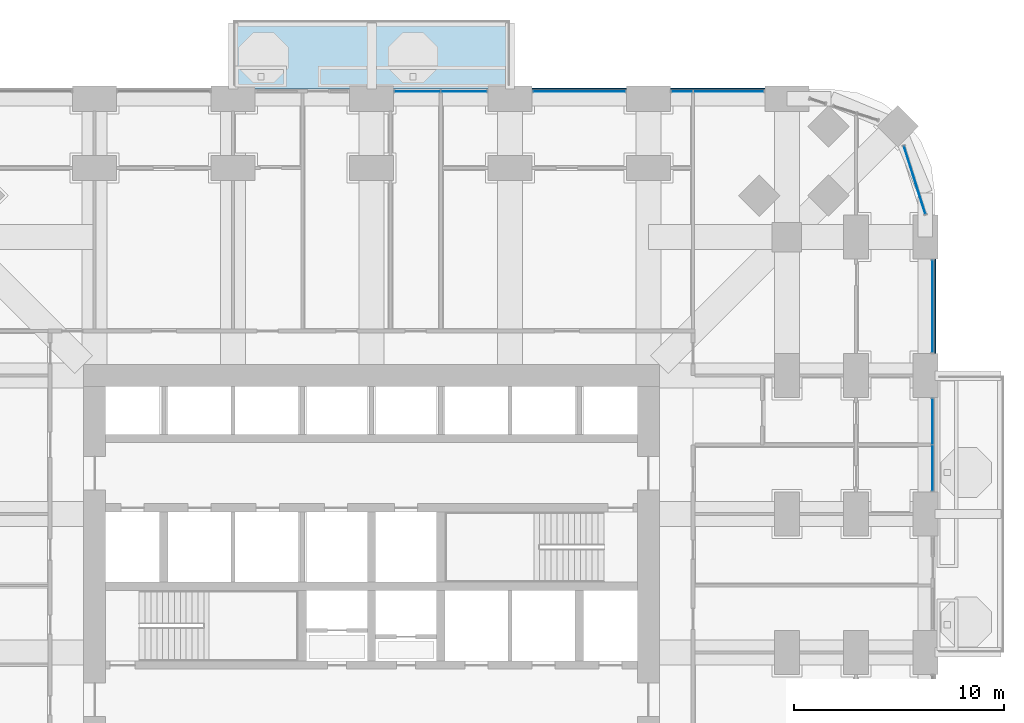
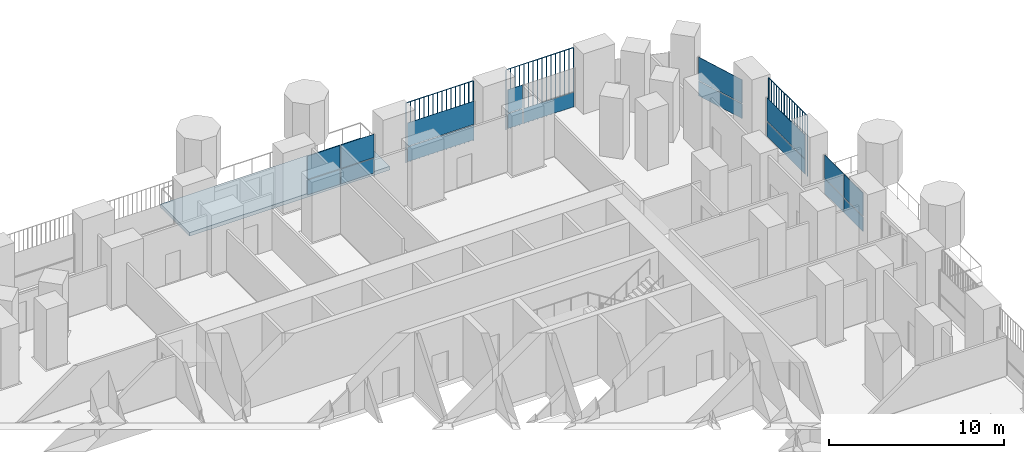
# One storey, part 15 of 26: 20 plates, 1 slab, 6 elements without a shape of their own.
"""IFC4 building model written with IfcOpenShell, lengths in metres."""

from ifc_helpers import new_model, si_unit, direction, frame, origin, origin_2d, place, context, subcontext, project, spatial, polyline, rectangle, outline, extrude, material, layer, layer_set, type_object, element, aggregate, save


model = new_model("IFC4")

# Units and contexts
model_context = context("Model", 3, precision=1e-05, world=origin(), true_north=direction((0.0, 1.0)))
body_context = subcontext(model_context, "Body", "Model", "MODEL_VIEW")
ifc_project = project(units=[si_unit("LENGTHUNIT", "METRE"), si_unit("AREAUNIT", "SQUARE_METRE"), si_unit("VOLUMEUNIT", "CUBIC_METRE"), si_unit("PLANEANGLEUNIT", "RADIAN"), si_unit("MASSUNIT", "GRAM", prefix="KILO")], contexts=[model_context])

# Site, building, storey
site_placement = place(None, origin())
site = spatial("IfcSite", under=ifc_project, at=site_placement, CompositionType="ELEMENT")
building_placement = place(site_placement, origin())
building = spatial("IfcBuilding", under=site, at=building_placement, Name="Cobogo Forest Laboratory Tower", CompositionType="ELEMENT")
storey_placement = place(building_placement, frame((0.0, 0.0, 25.5)))
storey = spatial("IfcBuildingStorey", under=building, at=storey_placement, Name="L05", CompositionType="ELEMENT", Elevation=25.5)

# Slab
ifc_material_1 = material(Name="Concrete HA-40 (C40/50)", Category="concrete")
ifc_layer_1 = layer(ifc_material_1, 0.25)
ifc_layer_set_1 = layer_set([ifc_layer_1], Name="Balcony slab 250")
slab_type = type_object("IfcSlabType", Name="Balcony slab 250", PredefinedType="FLOOR", material=ifc_layer_set_1)
slab_placement = place(storey_placement, frame((0.0, 0.0, -0.25)))
element("IfcSlab", 1, at=slab_placement, inside=storey, type_object=slab_type, Name="Balcony BAL-N1 L05", PredefinedType="FLOOR", context=body_context, shape_type="SweptSolid", body=[
    extrude(outline(polyline([(19.800048828125, 46.64990234375), (33.0, 46.64990234375), (33.0, 49.949951171875), (19.800048828125, 49.949951171875), (19.800048828125, 46.64990234375)])), origin(), (0.0, 0.0, 1.0), 0.25),
])

# Curtain wall, plates
ifc_material_2 = material(Name="Aluminium curtain wall", Category="aluminium")
curtain_wall_type = type_object("IfcCurtainWallType", Name="CW-1 unitised curtain wall, clear glazing, laboratory floors zones A and B", PredefinedType="USERDEFINED", material=ifc_material_2)
curtain_wall_1_placement = place(storey_placement, origin())
curtain_wall_1 = element("IfcCurtainWall", 2, at=curtain_wall_1_placement, inside=storey, type_object=curtain_wall_type, Name="Curtain wall 13 L05", ObjectType="UNITISED CURTAIN WALL", PredefinedType="USERDEFINED")
ifc_material_3 = material(Name="Clear insulated glass", Category="glass")
ifc_layer_2 = layer(ifc_material_3, 0.028076171875)
ifc_layer_set_2 = layer_set([ifc_layer_2], Name="GP-1 clear insulated glass unit 28")
plate_type_1 = type_object("IfcPlateType", Name="GP-1 clear insulated glass unit 28", PredefinedType="CURTAIN_PANEL", material=ifc_layer_set_2)
plate_1_placement = place(storey_placement, frame((53.14990234375, 28.590087890625, 0.0), z_axis=(0.0, 0.0, 1.0), x_axis=(0.0, 1.0, 0.0)))
plate_1 = element("IfcPlate", 3, at=plate_1_placement, type_object=plate_type_1, Name="CW-1 panel 1.1", PredefinedType="CURTAIN_PANEL", context=body_context, shape_type="SweptSolid", body=[
    extrude(rectangle(XDim=2.159912109375, YDim=0.028076171875, at=origin_2d()), origin(), (0.0, 0.0, 1.0), 1.02001953125),
])
plate_2_placement = place(storey_placement, frame((53.14990234375, 28.590087890625, 1.079833984375), z_axis=(0.0, 0.0, 1.0), x_axis=(0.0, 1.0, 0.0)))
plate_2 = element("IfcPlate", 4, at=plate_2_placement, type_object=plate_type_1, Name="CW-1 panel 1.2", PredefinedType="CURTAIN_PANEL", context=body_context, shape_type="SweptSolid", body=[
    extrude(rectangle(XDim=2.159912109375, YDim=0.028076171875, at=origin_2d()), origin(), (0.0, 0.0, 1.0), 1.6201171875),
])
plate_3_placement = place(storey_placement, frame((53.14990234375, 30.81005859375, 0.0), z_axis=(0.0, 0.0, 1.0), x_axis=(0.0, 1.0, 0.0)))
plate_3 = element("IfcPlate", 5, at=plate_3_placement, type_object=plate_type_1, Name="CW-1 panel 2.1", PredefinedType="CURTAIN_PANEL", context=body_context, shape_type="SweptSolid", body=[
    extrude(rectangle(XDim=2.159912109375, YDim=0.028076171875, at=origin_2d()), origin(), (0.0, 0.0, 1.0), 1.02001953125),
])
plate_4_placement = place(storey_placement, frame((53.14990234375, 30.81005859375, 1.079833984375), z_axis=(0.0, 0.0, 1.0), x_axis=(0.0, 1.0, 0.0)))
plate_4 = element("IfcPlate", 6, at=plate_4_placement, type_object=plate_type_1, Name="CW-1 panel 2.2", PredefinedType="CURTAIN_PANEL", context=body_context, shape_type="SweptSolid", body=[
    extrude(rectangle(XDim=2.159912109375, YDim=0.028076171875, at=origin_2d()), origin(), (0.0, 0.0, 1.0), 1.6201171875),
])
aggregate(curtain_wall_1, [plate_1, plate_2, plate_3, plate_4])

curtain_wall_2_placement = place(storey_placement, origin())
curtain_wall_2 = element("IfcCurtainWall", 7, at=curtain_wall_2_placement, inside=storey, type_object=curtain_wall_type, Name="Curtain wall 14 L05", ObjectType="UNITISED CURTAIN WALL", PredefinedType="USERDEFINED")
plate_5_placement = place(storey_placement, frame((53.14990234375, 36.300048828125, 0.0), z_axis=(0.0, 0.0, 1.0), x_axis=(0.0, 1.0, 0.0)))
plate_5 = element("IfcPlate", 8, at=plate_5_placement, type_object=plate_type_1, Name="CW-1 panel 1.1", PredefinedType="CURTAIN_PANEL", context=body_context, shape_type="SweptSolid", body=[
    extrude(rectangle(XDim=4.3798828125, YDim=0.028076171875, at=origin_2d()), origin(), (0.0, 0.0, 1.0), 1.02001953125),
])
plate_6_placement = place(storey_placement, frame((53.14990234375, 36.300048828125, 1.079833984375), z_axis=(0.0, 0.0, 1.0), x_axis=(0.0, 1.0, 0.0)))
plate_6 = element("IfcPlate", 9, at=plate_6_placement, type_object=plate_type_1, Name="CW-1 panel 1.2", PredefinedType="CURTAIN_PANEL", context=body_context, shape_type="SweptSolid", body=[
    extrude(rectangle(XDim=4.3798828125, YDim=0.028076171875, at=origin_2d()), origin(), (0.0, 0.0, 1.0), 1.6201171875),
])
aggregate(curtain_wall_2, [plate_5, plate_6])

curtain_wall_3_placement = place(storey_placement, origin())
curtain_wall_3 = element("IfcCurtainWall", 10, at=curtain_wall_3_placement, inside=storey, type_object=curtain_wall_type, Name="Curtain wall 15 L05", ObjectType="UNITISED CURTAIN WALL", PredefinedType="USERDEFINED")
plate_7_placement = place(storey_placement, frame((52.291015625, 42.320068359375, 0.0), z_axis=(0.0, 0.0, 1.0), x_axis=(-0.30113535792, 0.95358140513, 0.0)))
plate_7 = element("IfcPlate", 11, at=plate_7_placement, type_object=plate_type_1, Name="CW-1 panel 1.1", PredefinedType="CURTAIN_PANEL", context=body_context, shape_type="SweptSolid", body=[
    extrude(rectangle(XDim=3.382568359375, YDim=0.028076171875, at=origin_2d()), origin(), (0.0, 0.0, 1.0), 1.02001953125),
])
plate_8_placement = place(storey_placement, frame((52.291015625, 42.320068359375, 1.079833984375), z_axis=(0.0, 0.0, 1.0), x_axis=(-0.30113535792, 0.95358140513, 0.0)))
plate_8 = element("IfcPlate", 12, at=plate_8_placement, type_object=plate_type_1, Name="CW-1 panel 1.2", PredefinedType="CURTAIN_PANEL", context=body_context, shape_type="SweptSolid", body=[
    extrude(rectangle(XDim=3.382568359375, YDim=0.028076171875, at=origin_2d()), origin(), (0.0, 0.0, 1.0), 1.6201171875),
])
aggregate(curtain_wall_3, [plate_7, plate_8])

curtain_wall_4_placement = place(storey_placement, origin())
curtain_wall_4 = element("IfcCurtainWall", 13, at=curtain_wall_4_placement, inside=storey, type_object=curtain_wall_type, Name="Curtain wall 18 L05", ObjectType="UNITISED CURTAIN WALL", PredefinedType="USERDEFINED")
plate_9_placement = place(storey_placement, frame((43.422607421875, 46.550048828125, 0.0), z_axis=(0.0, 0.0, 1.0), x_axis=(-1.0, 0.0, 0.0)))
plate_9 = element("IfcPlate", 14, at=plate_9_placement, type_object=plate_type_1, Name="CW-1 panel 1.1", PredefinedType="CURTAIN_PANEL", context=body_context, shape_type="SweptSolid", body=[
    extrude(rectangle(XDim=3.3349609375, YDim=0.028076171875, at=origin_2d()), origin(), (0.0, 0.0, 1.0), 1.02001953125),
])
plate_10_placement = place(storey_placement, frame((41.202392578125, 46.550048828125, 0.0), z_axis=(0.0, 0.0, 1.0), x_axis=(-1.0, 0.0, 0.0)))
plate_10 = element("IfcPlate", 15, at=plate_10_placement, type_object=plate_type_1, Name="CW-1 panel 2.1", PredefinedType="CURTAIN_PANEL", context=body_context, shape_type="SweptSolid", body=[
    extrude(rectangle(XDim=0.985107421875, YDim=0.028076171875, at=origin_2d()), origin(), (0.0, 0.0, 1.0), 1.02001953125),
])
plate_11_placement = place(storey_placement, frame((41.202392578125, 46.550048828125, 1.079833984375), z_axis=(0.0, 0.0, 1.0), x_axis=(-1.0, 0.0, 0.0)))
plate_11 = element("IfcPlate", 16, at=plate_11_placement, type_object=plate_type_1, Name="CW-1 panel 2.2", PredefinedType="CURTAIN_PANEL", context=body_context, shape_type="SweptSolid", body=[
    extrude(rectangle(XDim=0.985107421875, YDim=0.028076171875, at=origin_2d()), origin(), (0.0, 0.0, 1.0), 1.6201171875),
])
aggregate(curtain_wall_4, [plate_9, plate_10, plate_11])

curtain_wall_5_placement = place(storey_placement, origin())
curtain_wall_5 = element("IfcCurtainWall", 17, at=curtain_wall_5_placement, inside=storey, type_object=curtain_wall_type, Name="Curtain wall 19 L05", ObjectType="UNITISED CURTAIN WALL", PredefinedType="USERDEFINED")
plate_12_placement = place(storey_placement, frame((36.300048828125, 46.550048828125, 0.0), z_axis=(0.0, 0.0, 1.0), x_axis=(-1.0, 0.0, 0.0)))
plate_12 = element("IfcPlate", 18, at=plate_12_placement, type_object=plate_type_1, Name="CW-1 panel 1.1", PredefinedType="CURTAIN_PANEL", context=body_context, shape_type="SweptSolid", body=[
    extrude(rectangle(XDim=4.3798828125, YDim=0.028076171875, at=origin_2d()), origin(), (0.0, 0.0, 1.0), 1.02001953125),
])
plate_13_placement = place(storey_placement, frame((36.300048828125, 46.550048828125, 1.079833984375), z_axis=(0.0, 0.0, 1.0), x_axis=(-1.0, 0.0, 0.0)))
plate_13 = element("IfcPlate", 19, at=plate_13_placement, type_object=plate_type_1, Name="CW-1 panel 1.2", PredefinedType="CURTAIN_PANEL", context=body_context, shape_type="SweptSolid", body=[
    extrude(rectangle(XDim=4.3798828125, YDim=0.028076171875, at=origin_2d()), origin(), (0.0, 0.0, 1.0), 1.6201171875),
])
aggregate(curtain_wall_5, [plate_12, plate_13])

curtain_wall_6_placement = place(storey_placement, origin())
curtain_wall_6 = element("IfcCurtainWall", 20, at=curtain_wall_6_placement, inside=storey, type_object=curtain_wall_type, Name="Curtain wall 20 L05", ObjectType="UNITISED CURTAIN WALL", PredefinedType="USERDEFINED")
plate_14_placement = place(storey_placement, frame((30.81005859375, 46.550048828125, 0.0), z_axis=(0.0, 0.0, 1.0), x_axis=(-1.0, 0.0, 0.0)))
plate_14 = element("IfcPlate", 21, at=plate_14_placement, type_object=plate_type_1, Name="CW-1 panel 1.1", PredefinedType="CURTAIN_PANEL", context=body_context, shape_type="SweptSolid", body=[
    extrude(rectangle(XDim=2.159912109375, YDim=0.028076171875, at=origin_2d()), origin(), (0.0, 0.0, 1.0), 1.02001953125),
])
plate_15_placement = place(storey_placement, frame((30.81005859375, 46.550048828125, 1.079833984375), z_axis=(0.0, 0.0, 1.0), x_axis=(-1.0, 0.0, 0.0)))
plate_15 = element("IfcPlate", 22, at=plate_15_placement, type_object=plate_type_1, Name="CW-1 panel 1.2", PredefinedType="CURTAIN_PANEL", context=body_context, shape_type="SweptSolid", body=[
    extrude(rectangle(XDim=2.159912109375, YDim=0.028076171875, at=origin_2d()), origin(), (0.0, 0.0, 1.0), 1.6201171875),
])
plate_16_placement = place(storey_placement, frame((28.590087890625, 46.550048828125, 0.0), z_axis=(0.0, 0.0, 1.0), x_axis=(-1.0, 0.0, 0.0)))
plate_16 = element("IfcPlate", 23, at=plate_16_placement, type_object=plate_type_1, Name="CW-1 panel 2.1", PredefinedType="CURTAIN_PANEL", context=body_context, shape_type="SweptSolid", body=[
    extrude(rectangle(XDim=2.159912109375, YDim=0.028076171875, at=origin_2d()), origin(), (0.0, 0.0, 1.0), 1.02001953125),
])
plate_17_placement = place(storey_placement, frame((28.590087890625, 46.550048828125, 1.079833984375), z_axis=(0.0, 0.0, 1.0), x_axis=(-1.0, 0.0, 0.0)))
plate_17 = element("IfcPlate", 24, at=plate_17_placement, type_object=plate_type_1, Name="CW-1 panel 2.2", PredefinedType="CURTAIN_PANEL", context=body_context, shape_type="SweptSolid", body=[
    extrude(rectangle(XDim=2.159912109375, YDim=0.028076171875, at=origin_2d()), origin(), (0.0, 0.0, 1.0), 1.6201171875),
])
aggregate(curtain_wall_6, [plate_14, plate_15, plate_16, plate_17])

# Plates
ifc_material_4 = material(Name="Terracotta", Category="masonry")
plate_type_2 = type_object("IfcPlateType", Name="TB1 terracotta baguette screen", PredefinedType="USERDEFINED", material=ifc_material_4)
plate_18_placement = place(storey_placement, frame((53.27783203125, 34.081298828125, -0.14990234375)))
element("IfcPlate", 25, at=plate_18_placement, inside=storey, type_object=plate_type_2, Name="Baguette screen E5 L05", ObjectType="BAGUETTE SCREEN", PredefinedType="USERDEFINED", context=body_context, shape_type="SweptSolid", body=[
    extrude(outline(polyline([(0.02880859375, 0.011962890625), (0.011962890625, 0.02880859375), (-0.011962890625, 0.02880859375), (-0.02880859375, 0.011962890625), (-0.02880859375, -0.011962890625), (-0.011962890625, -0.02880859375), (0.011962890625, -0.02880859375), (0.02880859375, -0.011962890625), (0.02880859375, 0.011962890625)])), frame((0.0, 0.0, 4.168701171875), z_axis=(0.0, 1.0, 0.0), x_axis=(-1.0, 0.0, 0.0)), (0.0, 0.0, 1.0), 4.4375),
    extrude(outline(polyline([(0.02880859375, 0.011962890625), (0.011962890625, 0.02880859375), (-0.011962890625, 0.02880859375), (-0.02880859375, 0.011962890625), (-0.02880859375, -0.011962890625), (-0.011962890625, -0.02880859375), (0.011962890625, -0.02880859375), (0.02880859375, -0.011962890625), (0.02880859375, 0.011962890625)])), origin(), (0.0, 0.0, 1.0), 4.137451171875),
    extrude(outline(polyline([(0.02880859375, 0.011962890625), (0.011962890625, 0.02880859375), (-0.011962890625, 0.02880859375), (-0.02880859375, 0.011962890625), (-0.02880859375, -0.011962890625), (-0.011962890625, -0.02880859375), (0.011962890625, -0.02880859375), (0.02880859375, -0.011962890625), (0.02880859375, 0.011962890625)])), frame((0.0, 0.2958984375, 0.0)), (0.0, 0.0, 1.0), 4.137451171875),
    extrude(outline(polyline([(0.02880859375, 0.011962890625), (0.011962890625, 0.02880859375), (-0.011962890625, 0.02880859375), (-0.02880859375, 0.011962890625), (-0.02880859375, -0.011962890625), (-0.011962890625, -0.02880859375), (0.011962890625, -0.02880859375), (0.02880859375, -0.011962890625), (0.02880859375, 0.011962890625)])), frame((0.0, 0.591552734375, 0.0)), (0.0, 0.0, 1.0), 4.137451171875),
    extrude(outline(polyline([(0.02880859375, 0.011962890625), (0.011962890625, 0.02880859375), (-0.011962890625, 0.02880859375), (-0.02880859375, 0.011962890625), (-0.02880859375, -0.011962890625), (-0.011962890625, -0.02880859375), (0.011962890625, -0.02880859375), (0.02880859375, -0.011962890625), (0.02880859375, 0.011962890625)])), frame((0.0, 0.887451171875, 0.0)), (0.0, 0.0, 1.0), 4.137451171875),
    extrude(outline(polyline([(0.02880859375, 0.011962890625), (0.011962890625, 0.02880859375), (-0.011962890625, 0.02880859375), (-0.02880859375, 0.011962890625), (-0.02880859375, -0.011962890625), (-0.011962890625, -0.02880859375), (0.011962890625, -0.02880859375), (0.02880859375, -0.011962890625), (0.02880859375, 0.011962890625)])), frame((0.0, 1.183349609375, 0.0)), (0.0, 0.0, 1.0), 4.137451171875),
    extrude(outline(polyline([(0.02880859375, 0.011962890625), (0.011962890625, 0.02880859375), (-0.011962890625, 0.02880859375), (-0.02880859375, 0.011962890625), (-0.02880859375, -0.011962890625), (-0.011962890625, -0.02880859375), (0.011962890625, -0.02880859375), (0.02880859375, -0.011962890625), (0.02880859375, 0.011962890625)])), frame((0.0, 1.479248046875, 0.0)), (0.0, 0.0, 1.0), 4.137451171875),
    extrude(outline(polyline([(0.02880859375, 0.011962890625), (0.011962890625, 0.02880859375), (-0.011962890625, 0.02880859375), (-0.02880859375, 0.011962890625), (-0.02880859375, -0.011962890625), (-0.011962890625, -0.02880859375), (0.011962890625, -0.02880859375), (0.02880859375, -0.011962890625), (0.02880859375, 0.011962890625)])), frame((0.0, 1.77490234375, 0.0)), (0.0, 0.0, 1.0), 4.137451171875),
    extrude(outline(polyline([(0.02880859375, 0.011962890625), (0.011962890625, 0.02880859375), (-0.011962890625, 0.02880859375), (-0.02880859375, 0.011962890625), (-0.02880859375, -0.011962890625), (-0.011962890625, -0.02880859375), (0.011962890625, -0.02880859375), (0.02880859375, -0.011962890625), (0.02880859375, 0.011962890625)])), frame((0.0, 2.07080078125, 0.0)), (0.0, 0.0, 1.0), 4.137451171875),
    extrude(outline(polyline([(0.02880859375, 0.011962890625), (0.011962890625, 0.02880859375), (-0.011962890625, 0.02880859375), (-0.02880859375, 0.011962890625), (-0.02880859375, -0.011962890625), (-0.011962890625, -0.02880859375), (0.011962890625, -0.02880859375), (0.02880859375, -0.011962890625), (0.02880859375, 0.011962890625)])), frame((0.0, 2.36669921875, 0.0)), (0.0, 0.0, 1.0), 4.137451171875),
    extrude(outline(polyline([(0.02880859375, 0.011962890625), (0.011962890625, 0.02880859375), (-0.011962890625, 0.02880859375), (-0.02880859375, 0.011962890625), (-0.02880859375, -0.011962890625), (-0.011962890625, -0.02880859375), (0.011962890625, -0.02880859375), (0.02880859375, -0.011962890625), (0.02880859375, 0.011962890625)])), frame((0.0, 2.66259765625, 0.0)), (0.0, 0.0, 1.0), 4.137451171875),
    extrude(outline(polyline([(0.02880859375, 0.011962890625), (0.011962890625, 0.02880859375), (-0.011962890625, 0.02880859375), (-0.02880859375, 0.011962890625), (-0.02880859375, -0.011962890625), (-0.011962890625, -0.02880859375), (0.011962890625, -0.02880859375), (0.02880859375, -0.011962890625), (0.02880859375, 0.011962890625)])), frame((0.0, 2.958251953125, 0.0)), (0.0, 0.0, 1.0), 4.137451171875),
    extrude(outline(polyline([(0.02880859375, 0.011962890625), (0.011962890625, 0.02880859375), (-0.011962890625, 0.02880859375), (-0.02880859375, 0.011962890625), (-0.02880859375, -0.011962890625), (-0.011962890625, -0.02880859375), (0.011962890625, -0.02880859375), (0.02880859375, -0.011962890625), (0.02880859375, 0.011962890625)])), frame((0.0, 3.254150390625, 0.0)), (0.0, 0.0, 1.0), 4.137451171875),
    extrude(outline(polyline([(0.02880859375, 0.011962890625), (0.011962890625, 0.02880859375), (-0.011962890625, 0.02880859375), (-0.02880859375, 0.011962890625), (-0.02880859375, -0.011962890625), (-0.011962890625, -0.02880859375), (0.011962890625, -0.02880859375), (0.02880859375, -0.011962890625), (0.02880859375, 0.011962890625)])), frame((0.0, 3.550048828125, 0.0)), (0.0, 0.0, 1.0), 4.137451171875),
    extrude(outline(polyline([(0.02880859375, 0.011962890625), (0.011962890625, 0.02880859375), (-0.011962890625, 0.02880859375), (-0.02880859375, 0.011962890625), (-0.02880859375, -0.011962890625), (-0.011962890625, -0.02880859375), (0.011962890625, -0.02880859375), (0.02880859375, -0.011962890625), (0.02880859375, 0.011962890625)])), frame((0.0, 3.845947265625, 0.0)), (0.0, 0.0, 1.0), 4.137451171875),
    extrude(outline(polyline([(0.02880859375, 0.011962890625), (0.011962890625, 0.02880859375), (-0.011962890625, 0.02880859375), (-0.02880859375, 0.011962890625), (-0.02880859375, -0.011962890625), (-0.011962890625, -0.02880859375), (0.011962890625, -0.02880859375), (0.02880859375, -0.011962890625), (0.02880859375, 0.011962890625)])), frame((0.0, 4.1416015625, 0.0)), (0.0, 0.0, 1.0), 4.137451171875),
    extrude(outline(polyline([(0.02880859375, 0.011962890625), (0.011962890625, 0.02880859375), (-0.011962890625, 0.02880859375), (-0.02880859375, 0.011962890625), (-0.02880859375, -0.011962890625), (-0.011962890625, -0.02880859375), (0.011962890625, -0.02880859375), (0.02880859375, -0.011962890625), (0.02880859375, 0.011962890625)])), frame((0.0, 4.4375, 0.0)), (0.0, 0.0, 1.0), 4.137451171875),
])
plate_19_placement = place(storey_placement, frame((34.081298828125, 46.677978515625, -0.14990234375)))
element("IfcPlate", 26, at=plate_19_placement, inside=storey, type_object=plate_type_2, Name="Baguette screen N5 L05", ObjectType="BAGUETTE SCREEN", PredefinedType="USERDEFINED", context=body_context, shape_type="SweptSolid", body=[
    extrude(outline(polyline([(0.02880859375, 0.011962890625), (0.011962890625, 0.02880859375), (-0.011962890625, 0.02880859375), (-0.02880859375, 0.011962890625), (-0.02880859375, -0.011962890625), (-0.011962890625, -0.02880859375), (0.011962890625, -0.02880859375), (0.02880859375, -0.011962890625), (0.02880859375, 0.011962890625)])), frame((0.0, 0.0, 4.168701171875), z_axis=(1.0, 0.0, 0.0), x_axis=(0.0, 1.0, 0.0)), (0.0, 0.0, 1.0), 4.4375),
    extrude(outline(polyline([(0.02880859375, 0.011962890625), (0.011962890625, 0.02880859375), (-0.011962890625, 0.02880859375), (-0.02880859375, 0.011962890625), (-0.02880859375, -0.011962890625), (-0.011962890625, -0.02880859375), (0.011962890625, -0.02880859375), (0.02880859375, -0.011962890625), (0.02880859375, 0.011962890625)])), origin(), (0.0, 0.0, 1.0), 4.137451171875),
    extrude(outline(polyline([(0.02880859375, 0.011962890625), (0.011962890625, 0.02880859375), (-0.011962890625, 0.02880859375), (-0.02880859375, 0.011962890625), (-0.02880859375, -0.011962890625), (-0.011962890625, -0.02880859375), (0.011962890625, -0.02880859375), (0.02880859375, -0.011962890625), (0.02880859375, 0.011962890625)])), frame((0.2958984375, 0.0, 0.0)), (0.0, 0.0, 1.0), 4.137451171875),
    extrude(outline(polyline([(0.02880859375, 0.011962890625), (0.011962890625, 0.02880859375), (-0.011962890625, 0.02880859375), (-0.02880859375, 0.011962890625), (-0.02880859375, -0.011962890625), (-0.011962890625, -0.02880859375), (0.011962890625, -0.02880859375), (0.02880859375, -0.011962890625), (0.02880859375, 0.011962890625)])), frame((0.591552734375, 0.0, 0.0)), (0.0, 0.0, 1.0), 4.137451171875),
    extrude(outline(polyline([(0.02880859375, 0.011962890625), (0.011962890625, 0.02880859375), (-0.011962890625, 0.02880859375), (-0.02880859375, 0.011962890625), (-0.02880859375, -0.011962890625), (-0.011962890625, -0.02880859375), (0.011962890625, -0.02880859375), (0.02880859375, -0.011962890625), (0.02880859375, 0.011962890625)])), frame((0.887451171875, 0.0, 0.0)), (0.0, 0.0, 1.0), 4.137451171875),
    extrude(outline(polyline([(0.02880859375, 0.011962890625), (0.011962890625, 0.02880859375), (-0.011962890625, 0.02880859375), (-0.02880859375, 0.011962890625), (-0.02880859375, -0.011962890625), (-0.011962890625, -0.02880859375), (0.011962890625, -0.02880859375), (0.02880859375, -0.011962890625), (0.02880859375, 0.011962890625)])), frame((1.183349609375, 0.0, 0.0)), (0.0, 0.0, 1.0), 4.137451171875),
    extrude(outline(polyline([(0.02880859375, 0.011962890625), (0.011962890625, 0.02880859375), (-0.011962890625, 0.02880859375), (-0.02880859375, 0.011962890625), (-0.02880859375, -0.011962890625), (-0.011962890625, -0.02880859375), (0.011962890625, -0.02880859375), (0.02880859375, -0.011962890625), (0.02880859375, 0.011962890625)])), frame((1.479248046875, 0.0, 0.0)), (0.0, 0.0, 1.0), 4.137451171875),
    extrude(outline(polyline([(0.02880859375, 0.011962890625), (0.011962890625, 0.02880859375), (-0.011962890625, 0.02880859375), (-0.02880859375, 0.011962890625), (-0.02880859375, -0.011962890625), (-0.011962890625, -0.02880859375), (0.011962890625, -0.02880859375), (0.02880859375, -0.011962890625), (0.02880859375, 0.011962890625)])), frame((1.77490234375, 0.0, 0.0)), (0.0, 0.0, 1.0), 4.137451171875),
    extrude(outline(polyline([(0.02880859375, 0.011962890625), (0.011962890625, 0.02880859375), (-0.011962890625, 0.02880859375), (-0.02880859375, 0.011962890625), (-0.02880859375, -0.011962890625), (-0.011962890625, -0.02880859375), (0.011962890625, -0.02880859375), (0.02880859375, -0.011962890625), (0.02880859375, 0.011962890625)])), frame((2.07080078125, 0.0, 0.0)), (0.0, 0.0, 1.0), 4.137451171875),
    extrude(outline(polyline([(0.02880859375, 0.011962890625), (0.011962890625, 0.02880859375), (-0.011962890625, 0.02880859375), (-0.02880859375, 0.011962890625), (-0.02880859375, -0.011962890625), (-0.011962890625, -0.02880859375), (0.011962890625, -0.02880859375), (0.02880859375, -0.011962890625), (0.02880859375, 0.011962890625)])), frame((2.36669921875, 0.0, 0.0)), (0.0, 0.0, 1.0), 4.137451171875),
    extrude(outline(polyline([(0.02880859375, 0.011962890625), (0.011962890625, 0.02880859375), (-0.011962890625, 0.02880859375), (-0.02880859375, 0.011962890625), (-0.02880859375, -0.011962890625), (-0.011962890625, -0.02880859375), (0.011962890625, -0.02880859375), (0.02880859375, -0.011962890625), (0.02880859375, 0.011962890625)])), frame((2.66259765625, 0.0, 0.0)), (0.0, 0.0, 1.0), 4.137451171875),
    extrude(outline(polyline([(0.02880859375, 0.011962890625), (0.011962890625, 0.02880859375), (-0.011962890625, 0.02880859375), (-0.02880859375, 0.011962890625), (-0.02880859375, -0.011962890625), (-0.011962890625, -0.02880859375), (0.011962890625, -0.02880859375), (0.02880859375, -0.011962890625), (0.02880859375, 0.011962890625)])), frame((2.958251953125, 0.0, 0.0)), (0.0, 0.0, 1.0), 4.137451171875),
    extrude(outline(polyline([(0.02880859375, 0.011962890625), (0.011962890625, 0.02880859375), (-0.011962890625, 0.02880859375), (-0.02880859375, 0.011962890625), (-0.02880859375, -0.011962890625), (-0.011962890625, -0.02880859375), (0.011962890625, -0.02880859375), (0.02880859375, -0.011962890625), (0.02880859375, 0.011962890625)])), frame((3.254150390625, 0.0, 0.0)), (0.0, 0.0, 1.0), 4.137451171875),
    extrude(outline(polyline([(0.02880859375, 0.011962890625), (0.011962890625, 0.02880859375), (-0.011962890625, 0.02880859375), (-0.02880859375, 0.011962890625), (-0.02880859375, -0.011962890625), (-0.011962890625, -0.02880859375), (0.011962890625, -0.02880859375), (0.02880859375, -0.011962890625), (0.02880859375, 0.011962890625)])), frame((3.550048828125, 0.0, 0.0)), (0.0, 0.0, 1.0), 4.137451171875),
    extrude(outline(polyline([(0.02880859375, 0.011962890625), (0.011962890625, 0.02880859375), (-0.011962890625, 0.02880859375), (-0.02880859375, 0.011962890625), (-0.02880859375, -0.011962890625), (-0.011962890625, -0.02880859375), (0.011962890625, -0.02880859375), (0.02880859375, -0.011962890625), (0.02880859375, 0.011962890625)])), frame((3.845947265625, 0.0, 0.0)), (0.0, 0.0, 1.0), 4.137451171875),
    extrude(outline(polyline([(0.02880859375, 0.011962890625), (0.011962890625, 0.02880859375), (-0.011962890625, 0.02880859375), (-0.02880859375, 0.011962890625), (-0.02880859375, -0.011962890625), (-0.011962890625, -0.02880859375), (0.011962890625, -0.02880859375), (0.02880859375, -0.011962890625), (0.02880859375, 0.011962890625)])), frame((4.1416015625, 0.0, 0.0)), (0.0, 0.0, 1.0), 4.137451171875),
    extrude(outline(polyline([(0.02880859375, 0.011962890625), (0.011962890625, 0.02880859375), (-0.011962890625, 0.02880859375), (-0.02880859375, 0.011962890625), (-0.02880859375, -0.011962890625), (-0.011962890625, -0.02880859375), (0.011962890625, -0.02880859375), (0.02880859375, -0.011962890625), (0.02880859375, 0.011962890625)])), frame((4.4375, 0.0, 0.0)), (0.0, 0.0, 1.0), 4.137451171875),
])
plate_20_placement = place(storey_placement, frame((40.68115234375, 46.677978515625, -0.14990234375)))
element("IfcPlate", 27, at=plate_20_placement, inside=storey, type_object=plate_type_2, Name="Baguette screen N6 L05", ObjectType="BAGUETTE SCREEN", PredefinedType="USERDEFINED", context=body_context, shape_type="SweptSolid", body=[
    extrude(outline(polyline([(0.02880859375, 0.011962890625), (0.011962890625, 0.02880859375), (-0.011962890625, 0.02880859375), (-0.02880859375, 0.011962890625), (-0.02880859375, -0.011962890625), (-0.011962890625, -0.02880859375), (0.011962890625, -0.02880859375), (0.02880859375, -0.011962890625), (0.02880859375, 0.011962890625)])), frame((0.0, 0.0, 4.168701171875), z_axis=(1.0, 0.0, 0.0), x_axis=(0.0, 1.0, 0.0)), (0.0, 0.0, 1.0), 4.4375),
    extrude(outline(polyline([(0.02880859375, 0.011962890625), (0.011962890625, 0.02880859375), (-0.011962890625, 0.02880859375), (-0.02880859375, 0.011962890625), (-0.02880859375, -0.011962890625), (-0.011962890625, -0.02880859375), (0.011962890625, -0.02880859375), (0.02880859375, -0.011962890625), (0.02880859375, 0.011962890625)])), origin(), (0.0, 0.0, 1.0), 4.137451171875),
    extrude(outline(polyline([(0.02880859375, 0.011962890625), (0.011962890625, 0.02880859375), (-0.011962890625, 0.02880859375), (-0.02880859375, 0.011962890625), (-0.02880859375, -0.011962890625), (-0.011962890625, -0.02880859375), (0.011962890625, -0.02880859375), (0.02880859375, -0.011962890625), (0.02880859375, 0.011962890625)])), frame((0.2958984375, 0.0, 0.0)), (0.0, 0.0, 1.0), 4.137451171875),
    extrude(outline(polyline([(0.02880859375, 0.011962890625), (0.011962890625, 0.02880859375), (-0.011962890625, 0.02880859375), (-0.02880859375, 0.011962890625), (-0.02880859375, -0.011962890625), (-0.011962890625, -0.02880859375), (0.011962890625, -0.02880859375), (0.02880859375, -0.011962890625), (0.02880859375, 0.011962890625)])), frame((0.591552734375, 0.0, 0.0)), (0.0, 0.0, 1.0), 4.137451171875),
    extrude(outline(polyline([(0.02880859375, 0.011962890625), (0.011962890625, 0.02880859375), (-0.011962890625, 0.02880859375), (-0.02880859375, 0.011962890625), (-0.02880859375, -0.011962890625), (-0.011962890625, -0.02880859375), (0.011962890625, -0.02880859375), (0.02880859375, -0.011962890625), (0.02880859375, 0.011962890625)])), frame((0.887451171875, 0.0, 0.0)), (0.0, 0.0, 1.0), 4.137451171875),
    extrude(outline(polyline([(0.02880859375, 0.011962890625), (0.011962890625, 0.02880859375), (-0.011962890625, 0.02880859375), (-0.02880859375, 0.011962890625), (-0.02880859375, -0.011962890625), (-0.011962890625, -0.02880859375), (0.011962890625, -0.02880859375), (0.02880859375, -0.011962890625), (0.02880859375, 0.011962890625)])), frame((1.183349609375, 0.0, 0.0)), (0.0, 0.0, 1.0), 4.137451171875),
    extrude(outline(polyline([(0.02880859375, 0.011962890625), (0.011962890625, 0.02880859375), (-0.011962890625, 0.02880859375), (-0.02880859375, 0.011962890625), (-0.02880859375, -0.011962890625), (-0.011962890625, -0.02880859375), (0.011962890625, -0.02880859375), (0.02880859375, -0.011962890625), (0.02880859375, 0.011962890625)])), frame((1.479248046875, 0.0, 0.0)), (0.0, 0.0, 1.0), 4.137451171875),
    extrude(outline(polyline([(0.02880859375, 0.011962890625), (0.011962890625, 0.02880859375), (-0.011962890625, 0.02880859375), (-0.02880859375, 0.011962890625), (-0.02880859375, -0.011962890625), (-0.011962890625, -0.02880859375), (0.011962890625, -0.02880859375), (0.02880859375, -0.011962890625), (0.02880859375, 0.011962890625)])), frame((1.77490234375, 0.0, 0.0)), (0.0, 0.0, 1.0), 4.137451171875),
    extrude(outline(polyline([(0.02880859375, 0.011962890625), (0.011962890625, 0.02880859375), (-0.011962890625, 0.02880859375), (-0.02880859375, 0.011962890625), (-0.02880859375, -0.011962890625), (-0.011962890625, -0.02880859375), (0.011962890625, -0.02880859375), (0.02880859375, -0.011962890625), (0.02880859375, 0.011962890625)])), frame((2.07080078125, 0.0, 0.0)), (0.0, 0.0, 1.0), 4.137451171875),
    extrude(outline(polyline([(0.02880859375, 0.011962890625), (0.011962890625, 0.02880859375), (-0.011962890625, 0.02880859375), (-0.02880859375, 0.011962890625), (-0.02880859375, -0.011962890625), (-0.011962890625, -0.02880859375), (0.011962890625, -0.02880859375), (0.02880859375, -0.011962890625), (0.02880859375, 0.011962890625)])), frame((2.36669921875, 0.0, 0.0)), (0.0, 0.0, 1.0), 4.137451171875),
    extrude(outline(polyline([(0.02880859375, 0.011962890625), (0.011962890625, 0.02880859375), (-0.011962890625, 0.02880859375), (-0.02880859375, 0.011962890625), (-0.02880859375, -0.011962890625), (-0.011962890625, -0.02880859375), (0.011962890625, -0.02880859375), (0.02880859375, -0.011962890625), (0.02880859375, 0.011962890625)])), frame((2.66259765625, 0.0, 0.0)), (0.0, 0.0, 1.0), 4.137451171875),
    extrude(outline(polyline([(0.02880859375, 0.011962890625), (0.011962890625, 0.02880859375), (-0.011962890625, 0.02880859375), (-0.02880859375, 0.011962890625), (-0.02880859375, -0.011962890625), (-0.011962890625, -0.02880859375), (0.011962890625, -0.02880859375), (0.02880859375, -0.011962890625), (0.02880859375, 0.011962890625)])), frame((2.958251953125, 0.0, 0.0)), (0.0, 0.0, 1.0), 4.137451171875),
    extrude(outline(polyline([(0.02880859375, 0.011962890625), (0.011962890625, 0.02880859375), (-0.011962890625, 0.02880859375), (-0.02880859375, 0.011962890625), (-0.02880859375, -0.011962890625), (-0.011962890625, -0.02880859375), (0.011962890625, -0.02880859375), (0.02880859375, -0.011962890625), (0.02880859375, 0.011962890625)])), frame((3.254150390625, 0.0, 0.0)), (0.0, 0.0, 1.0), 4.137451171875),
    extrude(outline(polyline([(0.02880859375, 0.011962890625), (0.011962890625, 0.02880859375), (-0.011962890625, 0.02880859375), (-0.02880859375, 0.011962890625), (-0.02880859375, -0.011962890625), (-0.011962890625, -0.02880859375), (0.011962890625, -0.02880859375), (0.02880859375, -0.011962890625), (0.02880859375, 0.011962890625)])), frame((3.550048828125, 0.0, 0.0)), (0.0, 0.0, 1.0), 4.137451171875),
    extrude(outline(polyline([(0.02880859375, 0.011962890625), (0.011962890625, 0.02880859375), (-0.011962890625, 0.02880859375), (-0.02880859375, 0.011962890625), (-0.02880859375, -0.011962890625), (-0.011962890625, -0.02880859375), (0.011962890625, -0.02880859375), (0.02880859375, -0.011962890625), (0.02880859375, 0.011962890625)])), frame((3.845947265625, 0.0, 0.0)), (0.0, 0.0, 1.0), 4.137451171875),
    extrude(outline(polyline([(0.02880859375, 0.011962890625), (0.011962890625, 0.02880859375), (-0.011962890625, 0.02880859375), (-0.02880859375, 0.011962890625), (-0.02880859375, -0.011962890625), (-0.011962890625, -0.02880859375), (0.011962890625, -0.02880859375), (0.02880859375, -0.011962890625), (0.02880859375, 0.011962890625)])), frame((4.1416015625, 0.0, 0.0)), (0.0, 0.0, 1.0), 4.137451171875),
    extrude(outline(polyline([(0.02880859375, 0.011962890625), (0.011962890625, 0.02880859375), (-0.011962890625, 0.02880859375), (-0.02880859375, 0.011962890625), (-0.02880859375, -0.011962890625), (-0.011962890625, -0.02880859375), (0.011962890625, -0.02880859375), (0.02880859375, -0.011962890625), (0.02880859375, 0.011962890625)])), frame((4.4375, 0.0, 0.0)), (0.0, 0.0, 1.0), 4.137451171875),
])

save(model, "model.ifc")
